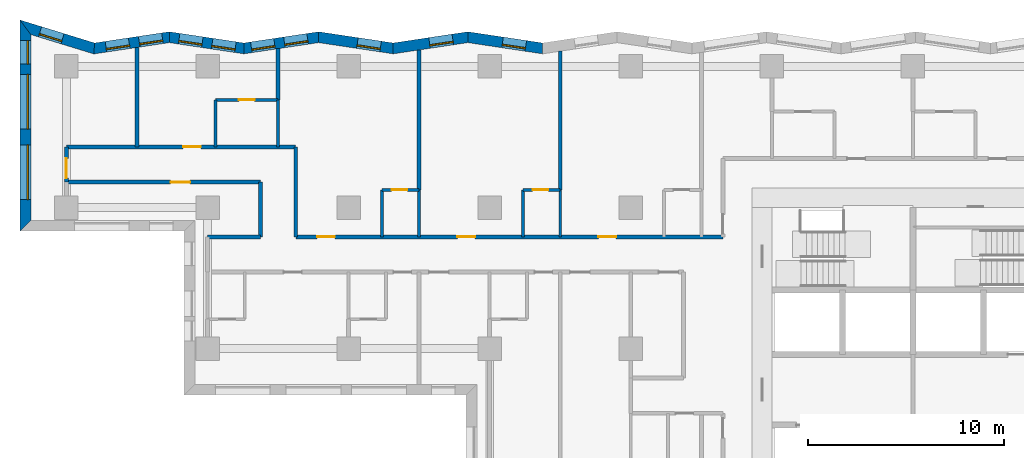
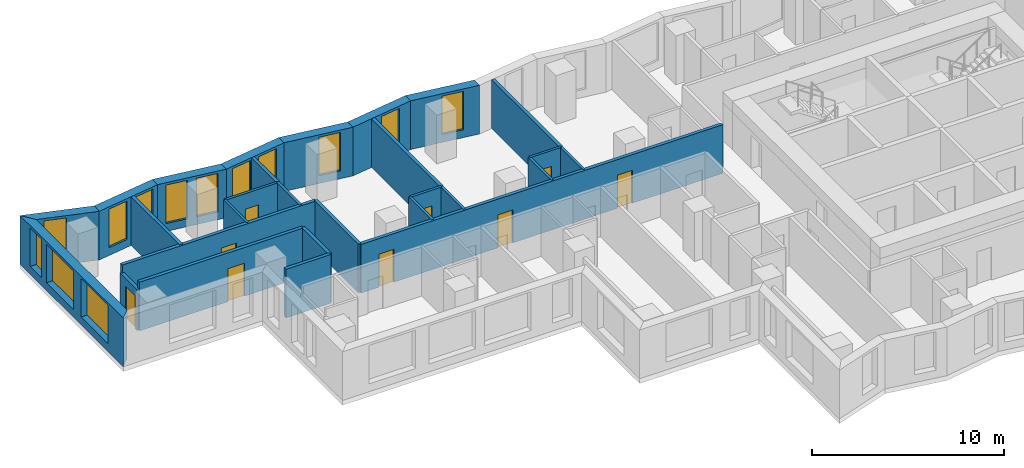
# One storey, part 4 of 12: 28 walls, 13 windows, 9 doors, 22 openings.
"""IFC4 building model written with IfcOpenShell, lengths in metres."""

from ifc_helpers import new_model, si_unit, direction, frame, frame_2d, origin, place, context, subcontext, project, spatial, polyline, rectangle, outline, extrude, material, layer, layer_set, type_object, element, fill, save


model = new_model("IFC4")

# Units and contexts
model_context = context("Model", 3, precision=1e-05, world=origin(), true_north=direction((0.0, 1.0)))
body_context = subcontext(model_context, "Body", "Model", "MODEL_VIEW")
ifc_project = project(units=[si_unit("LENGTHUNIT", "METRE"), si_unit("AREAUNIT", "SQUARE_METRE"), si_unit("VOLUMEUNIT", "CUBIC_METRE"), si_unit("PLANEANGLEUNIT", "RADIAN"), si_unit("MASSUNIT", "GRAM", prefix="KILO")], contexts=[model_context])

# Site, building, storey
site_placement = place(None, origin())
site = spatial("IfcSite", under=ifc_project, at=site_placement, CompositionType="ELEMENT")
building_placement = place(site_placement, origin())
building = spatial("IfcBuilding", under=site, at=building_placement, Name="Windrow Commons", CompositionType="ELEMENT")
storey_placement = place(building_placement, frame((0.0, 0.0, 57.6)))
storey = spatial("IfcBuildingStorey", under=building, at=storey_placement, Name="L15", CompositionType="ELEMENT", Elevation=57.6)

# Wall, opening, window
ifc_material_1 = material(Name="Brick masonry, red clay brick", Category="masonry")
ifc_layer_1 = layer(ifc_material_1, 0.55)
ifc_layer_set_1 = layer_set([ifc_layer_1], Name="Brick facade wall 550")
wall_type_1 = type_object("IfcWallType", Name="Brick facade wall 550", PredefinedType="SOLIDWALL", material=ifc_layer_set_1)
wall_1_placement = place(storey_placement, frame((45.8956, 72.9219, 0.0), z_axis=(0.0, 0.0, 1.0), x_axis=(-0.9889150173, 0.1484826202, 0.0)))
wall_1 = element("IfcWall", 1, at=wall_1_placement, inside=storey, type_object=wall_type_1, Name="Brick facade wall L15 32", PredefinedType="SOLIDWALL", context=body_context, shape_type="SweptSolid", body=[
    extrude(outline(polyline([(0.0413, -0.275), (3.8937, -0.275), (3.8111, 0.275), (-0.0413, 0.275), (0.0413, -0.275)])), origin(), (0.0, 0.0, 1.0), 3.1),
])
opening_1_placement = place(wall_1_placement, frame((0.8629, 0.0, 0.5)))
opening_1 = element("IfcOpeningElement", 2, at=opening_1_placement, cuts=wall_1, Name="Opening W7D", PredefinedType="OPENING", context=body_context, shape_type="SweptSolid", body=[
    extrude(rectangle(XDim=1.2, YDim=2.45, at=frame_2d((0.6, 1.225))), frame((0.0, 0.285, 0.0), z_axis=(0.0, -1.0, 0.0), x_axis=(1.0, 0.0, 0.0)), (0.0, 0.0, 1.0), 0.57),
])
ifc_material_2 = material(Name="Clear float glass in anodised aluminium frame", Category="aluminium")
window_type_1 = type_object("IfcWindowType", Name="Window W7 notch 1200x2450", PartitioningType="SINGLE_PANEL", PredefinedType="WINDOW", material=ifc_material_2)
window_1_placement = place(opening_1_placement, origin())
window_1 = element("IfcWindow", 3, at=window_1_placement, inside=storey, type_object=window_type_1, Name="Window L15 32.1", OverallHeight=2.45, OverallWidth=1.2, PartitioningType="SINGLE_PANEL", PredefinedType="WINDOW", context=body_context, shape_type="SweptSolid", body=[
    extrude(rectangle(XDim=1.2, YDim=2.45, at=frame_2d((0.6, 1.225))), frame((0.0, 0.155, 0.0), z_axis=(0.0, -1.0, 0.0), x_axis=(1.0, 0.0, 0.0)), (0.0, 0.0, 1.0), 0.06),
])
fill(opening_1, window_1)

wall_2_placement = place(storey_placement, frame((42.086, 73.4939, 0.0), z_axis=(0.0, 0.0, 1.0), x_axis=(-0.9889155896, -0.1484788086, 0.0)))
wall_2 = element("IfcWall", 4, at=wall_2_placement, inside=storey, type_object=wall_type_1, Name="Brick facade wall L15 33", PredefinedType="SOLIDWALL", context=body_context, shape_type="SweptSolid", body=[
    extrude(outline(polyline([(-0.0413, -0.275), (3.8111, -0.275), (3.8937, 0.275), (0.0413, 0.275), (-0.0413, -0.275)])), origin(), (0.0, 0.0, 1.0), 3.1),
])
opening_2_placement = place(wall_2_placement, frame((0.7776, 0.0, 0.5)))
opening_2 = element("IfcOpeningElement", 5, at=opening_2_placement, cuts=wall_2, Name="Opening W7D", PredefinedType="OPENING", context=body_context, shape_type="SweptSolid", body=[
    extrude(rectangle(XDim=1.2, YDim=2.45, at=frame_2d((0.6, 1.225))), frame((0.0, 0.285, 0.0), z_axis=(0.0, -1.0, 0.0), x_axis=(1.0, 0.0, 0.0)), (0.0, 0.0, 1.0), 0.57),
])
window_2_placement = place(opening_2_placement, origin())
window_2 = element("IfcWindow", 6, at=window_2_placement, inside=storey, type_object=window_type_1, Name="Window L15 33.1", OverallHeight=2.45, OverallWidth=1.2, PartitioningType="SINGLE_PANEL", PredefinedType="WINDOW", context=body_context, shape_type="SweptSolid", body=[
    extrude(rectangle(XDim=1.2, YDim=2.45, at=frame_2d((0.6, 1.225))), frame((0.0, 0.155, 0.0), z_axis=(0.0, -1.0, 0.0), x_axis=(1.0, 0.0, 0.0)), (0.0, 0.0, 1.0), 0.06),
])
fill(opening_2, window_2)

wall_3_placement = place(storey_placement, frame((38.2763, 72.9219, 0.0), z_axis=(0.0, 0.0, 1.0), x_axis=(-0.9889155896, 0.1484788086, 0.0)))
wall_3 = element("IfcWall", 7, at=wall_3_placement, inside=storey, type_object=wall_type_1, Name="Brick facade wall L15 34", PredefinedType="SOLIDWALL", context=body_context, shape_type="SweptSolid", body=[
    extrude(outline(polyline([(0.0413, -0.275), (3.8937, -0.275), (3.8111, 0.275), (-0.0413, 0.275), (0.0413, -0.275)])), origin(), (0.0, 0.0, 1.0), 3.1),
])
opening_3_placement = place(wall_3_placement, frame((0.6509, 0.0, 0.5)))
opening_3 = element("IfcOpeningElement", 8, at=opening_3_placement, cuts=wall_3, Name="Opening W7D", PredefinedType="OPENING", context=body_context, shape_type="SweptSolid", body=[
    extrude(rectangle(XDim=1.2, YDim=2.45, at=frame_2d((0.6, 1.225))), frame((0.0, 0.285, 0.0), z_axis=(0.0, -1.0, 0.0), x_axis=(1.0, 0.0, 0.0)), (0.0, 0.0, 1.0), 0.57),
])
window_3_placement = place(opening_3_placement, origin())
window_3 = element("IfcWindow", 9, at=window_3_placement, inside=storey, type_object=window_type_1, Name="Window L15 34.1", OverallHeight=2.45, OverallWidth=1.2, PartitioningType="SINGLE_PANEL", PredefinedType="WINDOW", context=body_context, shape_type="SweptSolid", body=[
    extrude(rectangle(XDim=1.2, YDim=2.45, at=frame_2d((0.6, 1.225))), frame((0.0, 0.155, 0.0), z_axis=(0.0, -1.0, 0.0), x_axis=(1.0, 0.0, 0.0)), (0.0, 0.0, 1.0), 0.06),
])
fill(opening_3, window_3)

# Wall, openings, windows
wall_4_placement = place(storey_placement, frame((34.4666, 73.4939, 0.0), z_axis=(0.0, 0.0, 1.0), x_axis=(-0.9889150173, -0.1484826202, 0.0)))
wall_4 = element("IfcWall", 10, at=wall_4_placement, inside=storey, type_object=wall_type_1, Name="Brick facade wall L15 35", PredefinedType="SOLIDWALL", context=body_context, shape_type="SweptSolid", body=[
    extrude(outline(polyline([(-0.0413, -0.275), (3.8111, -0.275), (3.8937, 0.275), (0.0413, 0.275), (-0.0413, -0.275)])), origin(), (0.0, 0.0, 1.0), 3.1),
])
opening_4_placement = place(wall_4_placement, frame((0.5655, 0.0, 0.5)))
opening_4 = element("IfcOpeningElement", 11, at=opening_4_placement, cuts=wall_4, Name="Opening W7D", PredefinedType="OPENING", context=body_context, shape_type="SweptSolid", body=[
    extrude(rectangle(XDim=1.2, YDim=2.45, at=frame_2d((0.6, 1.225))), frame((0.0, 0.285, 0.0), z_axis=(0.0, -1.0, 0.0), x_axis=(1.0, 0.0, 0.0)), (0.0, 0.0, 1.0), 0.57),
])
opening_5_placement = place(wall_4_placement, frame((2.2711, 0.0, 0.5)))
opening_5 = element("IfcOpeningElement", 12, at=opening_5_placement, cuts=wall_4, Name="Opening W7D", PredefinedType="OPENING", context=body_context, shape_type="SweptSolid", body=[
    extrude(rectangle(XDim=1.2, YDim=2.45, at=frame_2d((0.6, 1.225))), frame((0.0, 0.285, 0.0), z_axis=(0.0, -1.0, 0.0), x_axis=(1.0, 0.0, 0.0)), (0.0, 0.0, 1.0), 0.57),
])
window_4_placement = place(opening_4_placement, origin())
window_4 = element("IfcWindow", 13, at=window_4_placement, inside=storey, type_object=window_type_1, Name="Window L15 35.1", OverallHeight=2.45, OverallWidth=1.2, PartitioningType="SINGLE_PANEL", PredefinedType="WINDOW", context=body_context, shape_type="SweptSolid", body=[
    extrude(rectangle(XDim=1.2, YDim=2.45, at=frame_2d((0.6, 1.225))), frame((0.0, 0.155, 0.0), z_axis=(0.0, -1.0, 0.0), x_axis=(1.0, 0.0, 0.0)), (0.0, 0.0, 1.0), 0.06),
])
fill(opening_4, window_4)
window_5_placement = place(opening_5_placement, origin())
window_5 = element("IfcWindow", 14, at=window_5_placement, inside=storey, type_object=window_type_1, Name="Window L15 35.2", OverallHeight=2.45, OverallWidth=1.2, PartitioningType="SINGLE_PANEL", PredefinedType="WINDOW", context=body_context, shape_type="SweptSolid", body=[
    extrude(rectangle(XDim=1.2, YDim=2.45, at=frame_2d((0.6, 1.225))), frame((0.0, 0.155, 0.0), z_axis=(0.0, -1.0, 0.0), x_axis=(1.0, 0.0, 0.0)), (0.0, 0.0, 1.0), 0.06),
])
fill(opening_5, window_5)

wall_5_placement = place(storey_placement, frame((30.657, 72.9219, 0.0), z_axis=(0.0, 0.0, 1.0), x_axis=(-0.9889155896, 0.1484788086, 0.0)))
wall_5 = element("IfcWall", 15, at=wall_5_placement, inside=storey, type_object=wall_type_1, Name="Brick facade wall L15 36", PredefinedType="SOLIDWALL", context=body_context, shape_type="SweptSolid", body=[
    extrude(outline(polyline([(0.0413, -0.275), (3.8937, -0.275), (3.8111, 0.275), (-0.0413, 0.275), (0.0413, -0.275)])), origin(), (0.0, 0.0, 1.0), 3.1),
])
opening_6_placement = place(wall_5_placement, frame((0.4389, 0.0, 0.5)))
opening_6 = element("IfcOpeningElement", 16, at=opening_6_placement, cuts=wall_5, Name="Opening W7D", PredefinedType="OPENING", context=body_context, shape_type="SweptSolid", body=[
    extrude(rectangle(XDim=1.2, YDim=2.45, at=frame_2d((0.6, 1.225))), frame((0.0, 0.285, 0.0), z_axis=(0.0, -1.0, 0.0), x_axis=(1.0, 0.0, 0.0)), (0.0, 0.0, 1.0), 0.57),
])
opening_7_placement = place(wall_5_placement, frame((2.1444, 0.0, 0.5)))
opening_7 = element("IfcOpeningElement", 17, at=opening_7_placement, cuts=wall_5, Name="Opening W7D", PredefinedType="OPENING", context=body_context, shape_type="SweptSolid", body=[
    extrude(rectangle(XDim=1.2, YDim=2.45, at=frame_2d((0.6, 1.225))), frame((0.0, 0.285, 0.0), z_axis=(0.0, -1.0, 0.0), x_axis=(1.0, 0.0, 0.0)), (0.0, 0.0, 1.0), 0.57),
])
window_6_placement = place(opening_6_placement, origin())
window_6 = element("IfcWindow", 18, at=window_6_placement, inside=storey, type_object=window_type_1, Name="Window L15 36.1", OverallHeight=2.45, OverallWidth=1.2, PartitioningType="SINGLE_PANEL", PredefinedType="WINDOW", context=body_context, shape_type="SweptSolid", body=[
    extrude(rectangle(XDim=1.2, YDim=2.45, at=frame_2d((0.6, 1.225))), frame((0.0, 0.155, 0.0), z_axis=(0.0, -1.0, 0.0), x_axis=(1.0, 0.0, 0.0)), (0.0, 0.0, 1.0), 0.06),
])
fill(opening_6, window_6)
window_7_placement = place(opening_7_placement, origin())
window_7 = element("IfcWindow", 19, at=window_7_placement, inside=storey, type_object=window_type_1, Name="Window L15 36.2", OverallHeight=2.45, OverallWidth=1.2, PartitioningType="SINGLE_PANEL", PredefinedType="WINDOW", context=body_context, shape_type="SweptSolid", body=[
    extrude(rectangle(XDim=1.2, YDim=2.45, at=frame_2d((0.6, 1.225))), frame((0.0, 0.155, 0.0), z_axis=(0.0, -1.0, 0.0), x_axis=(1.0, 0.0, 0.0)), (0.0, 0.0, 1.0), 0.06),
])
fill(opening_7, window_7)

wall_6_placement = place(storey_placement, frame((26.8473, 73.4939, 0.0), z_axis=(0.0, 0.0, 1.0), x_axis=(-0.9889175987, -0.1484654269, 0.0)))
wall_6 = element("IfcWall", 20, at=wall_6_placement, inside=storey, type_object=wall_type_1, Name="Brick facade wall L15 37", PredefinedType="SOLIDWALL", context=body_context, shape_type="SweptSolid", body=[
    extrude(outline(polyline([(-0.0413, -0.275), (3.8111, -0.275), (3.9362, 0.275), (0.0413, 0.275), (-0.0413, -0.275)])), origin(), (0.0, 0.0, 1.0), 3.1),
])
opening_8_placement = place(wall_6_placement, frame((0.3535, 0.0, 0.5)))
opening_8 = element("IfcOpeningElement", 21, at=opening_8_placement, cuts=wall_6, Name="Opening W7D", PredefinedType="OPENING", context=body_context, shape_type="SweptSolid", body=[
    extrude(rectangle(XDim=1.2, YDim=2.45, at=frame_2d((0.6, 1.225))), frame((0.0, 0.285, 0.0), z_axis=(0.0, -1.0, 0.0), x_axis=(1.0, 0.0, 0.0)), (0.0, 0.0, 1.0), 0.57),
])
opening_9_placement = place(wall_6_placement, frame((2.0697, 0.0, 0.5)))
opening_9 = element("IfcOpeningElement", 22, at=opening_9_placement, cuts=wall_6, Name="Opening W7D", PredefinedType="OPENING", context=body_context, shape_type="SweptSolid", body=[
    extrude(rectangle(XDim=1.2, YDim=2.45, at=frame_2d((0.6, 1.225))), frame((0.0, 0.285, 0.0), z_axis=(0.0, -1.0, 0.0), x_axis=(1.0, 0.0, 0.0)), (0.0, 0.0, 1.0), 0.57),
])
window_8_placement = place(opening_8_placement, origin())
window_8 = element("IfcWindow", 23, at=window_8_placement, inside=storey, type_object=window_type_1, Name="Window L15 37.1", OverallHeight=2.45, OverallWidth=1.2, PartitioningType="SINGLE_PANEL", PredefinedType="WINDOW", context=body_context, shape_type="SweptSolid", body=[
    extrude(rectangle(XDim=1.2, YDim=2.45, at=frame_2d((0.6, 1.225))), frame((0.0, 0.155, 0.0), z_axis=(0.0, -1.0, 0.0), x_axis=(1.0, 0.0, 0.0)), (0.0, 0.0, 1.0), 0.06),
])
fill(opening_8, window_8)
window_9_placement = place(opening_9_placement, origin())
window_9 = element("IfcWindow", 24, at=window_9_placement, inside=storey, type_object=window_type_1, Name="Window L15 37.2", OverallHeight=2.45, OverallWidth=1.2, PartitioningType="SINGLE_PANEL", PredefinedType="WINDOW", context=body_context, shape_type="SweptSolid", body=[
    extrude(rectangle(XDim=1.2, YDim=2.45, at=frame_2d((0.6, 1.225))), frame((0.0, 0.155, 0.0), z_axis=(0.0, -1.0, 0.0), x_axis=(1.0, 0.0, 0.0)), (0.0, 0.0, 1.0), 0.06),
])
fill(opening_9, window_9)

# Wall, opening, window
wall_7_placement = place(storey_placement, frame((23.0166, 72.9188, 0.0), z_axis=(0.0, 0.0, 1.0), x_axis=(-0.9557948878, 0.2940342368, 0.0)))
wall_7 = element("IfcWall", 25, at=wall_7_placement, inside=storey, type_object=wall_type_1, Name="Brick facade wall L15 38", PredefinedType="SOLIDWALL", context=body_context, shape_type="SweptSolid", body=[
    extrude(outline(polyline([(0.0626, -0.275), (4.0484, -0.275), (3.3038, 0.275), (-0.0626, 0.275), (0.0626, -0.275)])), origin(), (0.0, 0.0, 1.0), 3.1),
])
opening_10_placement = place(wall_7_placement, frame((1.693, 0.0, 0.5)))
opening_10 = element("IfcOpeningElement", 26, at=opening_10_placement, cuts=wall_7, Name="Opening W7D", PredefinedType="OPENING", context=body_context, shape_type="SweptSolid", body=[
    extrude(rectangle(XDim=1.2, YDim=2.45, at=frame_2d((0.6, 1.225))), frame((0.0, 0.285, 0.0), z_axis=(0.0, -1.0, 0.0), x_axis=(1.0, 0.0, 0.0)), (0.0, 0.0, 1.0), 0.57),
])
window_10_placement = place(opening_10_placement, origin())
window_10 = element("IfcWindow", 27, at=window_10_placement, inside=storey, type_object=window_type_1, Name="Window L15 38.1", OverallHeight=2.45, OverallWidth=1.2, PartitioningType="SINGLE_PANEL", PredefinedType="WINDOW", context=body_context, shape_type="SweptSolid", body=[
    extrude(rectangle(XDim=1.2, YDim=2.45, at=frame_2d((0.6, 1.225))), frame((0.0, 0.155, 0.0), z_axis=(0.0, -1.0, 0.0), x_axis=(1.0, 0.0, 0.0)), (0.0, 0.0, 1.0), 0.06),
])
fill(opening_10, window_10)

# Wall, openings, windows
wall_8_placement = place(storey_placement, frame((19.503, 73.9997, 0.0), z_axis=(0.0, 0.0, 1.0), x_axis=(0.0, -1.0, 0.0)))
wall_8 = element("IfcWall", 28, at=wall_8_placement, inside=storey, type_object=wall_type_1, Name="Brick facade wall L15 39", PredefinedType="SOLIDWALL", context=body_context, shape_type="SweptSolid", body=[
    extrude(outline(polyline([(-0.3723, -0.275), (10.3997, -0.275), (9.8497, 0.275), (0.3723, 0.275), (-0.3723, -0.275)])), origin(), (0.0, 0.0, 1.0), 3.1),
])
opening_11_placement = place(wall_8_placement, frame((2.3997, 0.0, 0.5)))
opening_11 = element("IfcOpeningElement", 29, at=opening_11_placement, cuts=wall_8, Name="Opening W1T", PredefinedType="OPENING", context=body_context, shape_type="SweptSolid", body=[
    extrude(rectangle(XDim=2.8, YDim=2.45, at=frame_2d((1.4, 1.225))), frame((0.0, 0.285, 0.0), z_axis=(0.0, -1.0, 0.0), x_axis=(1.0, 0.0, 0.0)), (0.0, 0.0, 1.0), 0.57),
])
opening_12_placement = place(wall_8_placement, frame((5.9997, 0.0, 0.5)))
opening_12 = element("IfcOpeningElement", 30, at=opening_12_placement, cuts=wall_8, Name="Opening W1T", PredefinedType="OPENING", context=body_context, shape_type="SweptSolid", body=[
    extrude(rectangle(XDim=2.8, YDim=2.45, at=frame_2d((1.4, 1.225))), frame((0.0, 0.285, 0.0), z_axis=(0.0, -1.0, 0.0), x_axis=(1.0, 0.0, 0.0)), (0.0, 0.0, 1.0), 0.57),
])
opening_13_placement = place(wall_8_placement, frame((0.686, 0.0, 0.5)))
opening_13 = element("IfcOpeningElement", 31, at=opening_13_placement, cuts=wall_8, Name="Opening W7D", PredefinedType="OPENING", context=body_context, shape_type="SweptSolid", body=[
    extrude(rectangle(XDim=1.2, YDim=2.45, at=frame_2d((0.6, 1.225))), frame((0.0, 0.285, 0.0), z_axis=(0.0, -1.0, 0.0), x_axis=(1.0, 0.0, 0.0)), (0.0, 0.0, 1.0), 0.57),
])
ifc_material_3 = material(Name="Clear float glass in anodised aluminium frame", Category="aluminium")
window_type_2 = type_object("IfcWindowType", Name="Window W1T bedroom 2800x2450", PartitioningType="SINGLE_PANEL", PredefinedType="WINDOW", material=ifc_material_3)
window_11_placement = place(opening_11_placement, origin())
window_11 = element("IfcWindow", 32, at=window_11_placement, inside=storey, type_object=window_type_2, Name="Window L15 39.1", OverallHeight=2.45, OverallWidth=2.8, PartitioningType="SINGLE_PANEL", PredefinedType="WINDOW", context=body_context, shape_type="SweptSolid", body=[
    extrude(rectangle(XDim=2.8, YDim=2.45, at=frame_2d((1.4, 1.225))), frame((0.0, 0.155, 0.0), z_axis=(0.0, -1.0, 0.0), x_axis=(1.0, 0.0, 0.0)), (0.0, 0.0, 1.0), 0.06),
])
fill(opening_11, window_11)
window_12_placement = place(opening_12_placement, origin())
window_12 = element("IfcWindow", 33, at=window_12_placement, inside=storey, type_object=window_type_2, Name="Window L15 39.2", OverallHeight=2.45, OverallWidth=2.8, PartitioningType="SINGLE_PANEL", PredefinedType="WINDOW", context=body_context, shape_type="SweptSolid", body=[
    extrude(rectangle(XDim=2.8, YDim=2.45, at=frame_2d((1.4, 1.225))), frame((0.0, 0.155, 0.0), z_axis=(0.0, -1.0, 0.0), x_axis=(1.0, 0.0, 0.0)), (0.0, 0.0, 1.0), 0.06),
])
fill(opening_12, window_12)
window_13_placement = place(opening_13_placement, origin())
window_13 = element("IfcWindow", 34, at=window_13_placement, inside=storey, type_object=window_type_1, Name="Window L15 39.3", OverallHeight=2.45, OverallWidth=1.2, PartitioningType="SINGLE_PANEL", PredefinedType="WINDOW", context=body_context, shape_type="SweptSolid", body=[
    extrude(rectangle(XDim=1.2, YDim=2.45, at=frame_2d((0.6, 1.225))), frame((0.0, 0.155, 0.0), z_axis=(0.0, -1.0, 0.0), x_axis=(1.0, 0.0, 0.0)), (0.0, 0.0, 1.0), 0.06),
])
fill(opening_13, window_13)

# Wall, openings, doors
ifc_material_4 = material(Name="Blockwork partition", Category="masonry")
ifc_layer_2 = layer(ifc_material_4, 0.2)
ifc_layer_set_2 = layer_set([ifc_layer_2], Name="IW-CORRIDOR-200")
wall_type_2 = type_object("IfcWallType", Name="IW-CORRIDOR-200", PredefinedType="PARTITIONING", material=ifc_layer_set_2)
wall_9_placement = place(storey_placement, frame((33.302, 63.3, 0.0), z_axis=(0.0, 0.0, 1.0), x_axis=(1.0, 0.0, 0.0)))
wall_9 = element("IfcWall", 35, at=wall_9_placement, inside=storey, type_object=wall_type_2, Name="W-L15-W001", PredefinedType="PARTITIONING", context=body_context, shape_type="SweptSolid", body=[
    extrude(rectangle(XDim=21.798, YDim=0.2, at=frame_2d((10.899, 0.0))), origin(), (0.0, 0.0, 1.0), 3.1),
])
opening_14_placement = place(wall_9_placement, frame((1.0908, 0.0, 0.0)))
opening_14 = element("IfcOpeningElement", 36, at=opening_14_placement, cuts=wall_9, Name="Opening D109F", PredefinedType="OPENING", context=body_context, shape_type="SweptSolid", body=[
    extrude(rectangle(XDim=0.9, YDim=2.1, at=frame_2d((0.45, 1.05))), frame((0.0, 0.11, 0.0), z_axis=(0.0, -1.0, 0.0), x_axis=(1.0, 0.0, 0.0)), (0.0, 0.0, 1.0), 0.22),
])
opening_15_placement = place(wall_9_placement, frame((8.2483, 0.0, 0.0)))
opening_15 = element("IfcOpeningElement", 37, at=opening_15_placement, cuts=wall_9, Name="Opening D109F", PredefinedType="OPENING", context=body_context, shape_type="SweptSolid", body=[
    extrude(rectangle(XDim=0.9, YDim=2.1, at=frame_2d((0.45, 1.05))), frame((0.0, 0.11, 0.0), z_axis=(0.0, -1.0, 0.0), x_axis=(1.0, 0.0, 0.0)), (0.0, 0.0, 1.0), 0.22),
])
opening_16_placement = place(wall_9_placement, frame((15.4483, 0.0, 0.0)))
opening_16 = element("IfcOpeningElement", 38, at=opening_16_placement, cuts=wall_9, Name="Opening D109F", PredefinedType="OPENING", context=body_context, shape_type="SweptSolid", body=[
    extrude(rectangle(XDim=0.9, YDim=2.1, at=frame_2d((0.45, 1.05))), frame((0.0, 0.11, 0.0), z_axis=(0.0, -1.0, 0.0), x_axis=(1.0, 0.0, 0.0)), (0.0, 0.0, 1.0), 0.22),
])
ifc_material_5 = material(Name="Timber door leaf", Category="wood")
door_type_1 = type_object("IfcDoorType", Name="DT-BEDROOM-900", OperationType="SINGLE_SWING_LEFT", PredefinedType="DOOR", material=ifc_material_5)
door_1_placement = place(opening_14_placement, origin())
door_1 = element("IfcDoor", 39, at=door_1_placement, inside=storey, type_object=door_type_1, Name="D-L15-D009", OperationType="SINGLE_SWING_LEFT", OverallHeight=2.1, OverallWidth=0.9, PredefinedType="DOOR", context=body_context, shape_type="SweptSolid", body=[
    extrude(rectangle(XDim=0.9, YDim=2.1, at=frame_2d((0.45, 1.05))), frame((0.0, 0.025, 0.0), z_axis=(0.0, -1.0, 0.0), x_axis=(1.0, 0.0, 0.0)), (0.0, 0.0, 1.0), 0.05),
])
fill(opening_14, door_1)
door_2_placement = place(opening_15_placement, origin())
door_2 = element("IfcDoor", 40, at=door_2_placement, inside=storey, type_object=door_type_1, Name="D-L15-D011", OperationType="SINGLE_SWING_LEFT", OverallHeight=2.1, OverallWidth=0.9, PredefinedType="DOOR", context=body_context, shape_type="SweptSolid", body=[
    extrude(rectangle(XDim=0.9, YDim=2.1, at=frame_2d((0.45, 1.05))), frame((0.0, 0.025, 0.0), z_axis=(0.0, -1.0, 0.0), x_axis=(1.0, 0.0, 0.0)), (0.0, 0.0, 1.0), 0.05),
])
fill(opening_15, door_2)
door_3_placement = place(opening_16_placement, origin())
door_3 = element("IfcDoor", 41, at=door_3_placement, inside=storey, type_object=door_type_1, Name="D-L15-D013", OperationType="SINGLE_SWING_LEFT", OverallHeight=2.1, OverallWidth=0.9, PredefinedType="DOOR", context=body_context, shape_type="SweptSolid", body=[
    extrude(rectangle(XDim=0.9, YDim=2.1, at=frame_2d((0.45, 1.05))), frame((0.0, 0.025, 0.0), z_axis=(0.0, -1.0, 0.0), x_axis=(1.0, 0.0, 0.0)), (0.0, 0.0, 1.0), 0.05),
])
fill(opening_16, door_3)

# Wall, opening, door
wall_10_placement = place(storey_placement, frame((21.602, 67.9, 0.0), z_axis=(0.0, 0.0, 1.0), x_axis=(1.0, 0.0, 0.0)))
wall_10 = element("IfcWall", 42, at=wall_10_placement, inside=storey, type_object=wall_type_2, Name="W-L15-W009", PredefinedType="PARTITIONING", context=body_context, shape_type="SweptSolid", body=[
    extrude(rectangle(XDim=11.698, YDim=0.2, at=frame_2d((5.849, 0.0))), origin(), (0.0, 0.0, 1.0), 3.1),
])
opening_17_placement = place(wall_10_placement, frame((5.955, 0.0, 0.0)))
opening_17 = element("IfcOpeningElement", 43, at=opening_17_placement, cuts=wall_10, Name="Opening D109F", PredefinedType="OPENING", context=body_context, shape_type="SweptSolid", body=[
    extrude(rectangle(XDim=0.9, YDim=2.1, at=frame_2d((0.45, 1.05))), frame((0.0, 0.11, 0.0), z_axis=(0.0, -1.0, 0.0), x_axis=(1.0, 0.0, 0.0)), (0.0, 0.0, 1.0), 0.22),
])
door_4_placement = place(opening_17_placement, origin())
door_4 = element("IfcDoor", 44, at=door_4_placement, inside=storey, type_object=door_type_1, Name="D-L15-D003", OperationType="SINGLE_SWING_LEFT", OverallHeight=2.1, OverallWidth=0.9, PredefinedType="DOOR", context=body_context, shape_type="SweptSolid", body=[
    extrude(rectangle(XDim=0.9, YDim=2.1, at=frame_2d((0.45, 1.05))), frame((0.0, 0.025, 0.0), z_axis=(0.0, -1.0, 0.0), x_axis=(1.0, 0.0, 0.0)), (0.0, 0.0, 1.0), 0.05),
])
fill(opening_17, door_4)

wall_11_placement = place(storey_placement, frame((21.6, 66.1, 0.0), z_axis=(0.0, 0.0, 1.0), x_axis=(1.0, 0.0, 0.0)))
wall_11 = element("IfcWall", 45, at=wall_11_placement, inside=storey, type_object=wall_type_2, Name="W-L15-W011", PredefinedType="PARTITIONING", context=body_context, shape_type="SweptSolid", body=[
    extrude(rectangle(XDim=9.9, YDim=0.2, at=frame_2d((4.95, 0.0))), origin(), (0.0, 0.0, 1.0), 3.1),
])
opening_18_placement = place(wall_11_placement, frame((5.3136, 0.0, 0.0)))
opening_18 = element("IfcOpeningElement", 46, at=opening_18_placement, cuts=wall_11, Name="Opening D310F", PredefinedType="OPENING", context=body_context, shape_type="SweptSolid", body=[
    extrude(rectangle(XDim=1.0, YDim=2.1, at=frame_2d((0.5, 1.05))), frame((0.0, 0.11, 0.0), z_axis=(0.0, -1.0, 0.0), x_axis=(1.0, 0.0, 0.0)), (0.0, 0.0, 1.0), 0.22),
])
ifc_material_6 = material(Name="Timber door leaf", Category="wood")
door_type_2 = type_object("IfcDoorType", Name="DT-AMENITY-1000", OperationType="SINGLE_SWING_LEFT", PredefinedType="DOOR", material=ifc_material_6)
door_5_placement = place(opening_18_placement, origin())
door_5 = element("IfcDoor", 47, at=door_5_placement, inside=storey, type_object=door_type_2, Name="D-L15-D002", OperationType="SINGLE_SWING_LEFT", OverallHeight=2.1, OverallWidth=1.0, PredefinedType="DOOR", context=body_context, shape_type="SweptSolid", body=[
    extrude(rectangle(XDim=1.0, YDim=2.1, at=frame_2d((0.5, 1.05))), frame((0.0, 0.025, 0.0), z_axis=(0.0, -1.0, 0.0), x_axis=(1.0, 0.0, 0.0)), (0.0, 0.0, 1.0), 0.05),
])
fill(opening_18, door_5)

# Walls
wall_12_placement = place(storey_placement, frame((33.3, 63.302, 0.0), z_axis=(0.0, 0.0, 1.0), x_axis=(0.0, 1.0, 0.0)))
element("IfcWall", 48, at=wall_12_placement, inside=storey, type_object=wall_type_2, Name="W-L15-W043", PredefinedType="PARTITIONING", context=body_context, shape_type="SweptSolid", body=[
    extrude(rectangle(XDim=4.598, YDim=0.2, at=frame_2d((2.299, 0.0))), origin(), (0.0, 0.0, 1.0), 3.1),
])
wall_13_placement = place(storey_placement, frame((31.5, 63.302, 0.0), z_axis=(0.0, 0.0, 1.0), x_axis=(0.0, 1.0, 0.0)))
element("IfcWall", 49, at=wall_13_placement, inside=storey, type_object=wall_type_2, Name="W-L15-W065", PredefinedType="PARTITIONING", context=body_context, shape_type="SweptSolid", body=[
    extrude(rectangle(XDim=2.798, YDim=0.2, at=frame_2d((1.399, 0.0))), origin(), (0.0, 0.0, 1.0), 3.1),
])
wall_14_placement = place(storey_placement, frame((28.802, 63.3, 0.0), z_axis=(0.0, 0.0, 1.0), x_axis=(1.0, 0.0, 0.0)))
element("IfcWall", 50, at=wall_14_placement, inside=storey, type_object=wall_type_2, Name="W-L15-W067", PredefinedType="PARTITIONING", context=body_context, shape_type="SweptSolid", body=[
    extrude(rectangle(XDim=2.698, YDim=0.2, at=frame_2d((1.349, 0.0))), origin(), (0.0, 0.0, 1.0), 3.1),
])

# Wall, opening, door
wall_15_placement = place(storey_placement, frame((21.6, 66.1, 0.0), z_axis=(0.0, 0.0, 1.0), x_axis=(0.0, 1.0, 0.0)))
wall_15 = element("IfcWall", 51, at=wall_15_placement, inside=storey, type_object=wall_type_2, Name="W-L15-W131", PredefinedType="PARTITIONING", context=body_context, shape_type="SweptSolid", body=[
    extrude(rectangle(XDim=1.8, YDim=0.2, at=frame_2d((0.9, 0.0))), origin(), (0.0, 0.0, 1.0), 2.6),
])
opening_19_placement = place(wall_15_placement, frame((0.2066, 0.0, 0.0)))
opening_19 = element("IfcOpeningElement", 52, at=opening_19_placement, cuts=wall_15, Name="Opening D310F", PredefinedType="OPENING", context=body_context, shape_type="SweptSolid", body=[
    extrude(rectangle(XDim=1.0, YDim=2.1, at=frame_2d((0.5, 1.05))), frame((0.0, 0.11, 0.0), z_axis=(0.0, -1.0, 0.0), x_axis=(1.0, 0.0, 0.0)), (0.0, 0.0, 1.0), 0.22),
])
door_6_placement = place(opening_19_placement, origin())
door_6 = element("IfcDoor", 53, at=door_6_placement, inside=storey, type_object=door_type_2, Name="D-L15-D001", OperationType="SINGLE_SWING_RIGHT", OverallHeight=2.1, OverallWidth=1.0, PredefinedType="DOOR", context=body_context, shape_type="SweptSolid", body=[
    extrude(rectangle(XDim=1.0, YDim=2.1, at=frame_2d((0.5, 1.05))), frame((0.0, 0.025, 0.0), z_axis=(0.0, -1.0, 0.0), x_axis=(1.0, 0.0, 0.0)), (0.0, 0.0, 1.0), 0.05),
])
fill(opening_19, door_6)

ifc_material_7 = material(Name="Blockwork partition", Category="masonry")
ifc_layer_3 = layer(ifc_material_7, 0.15)
ifc_layer_set_3 = layer_set([ifc_layer_3], Name="IW-ENSUITE-150")
wall_type_3 = type_object("IfcWallType", Name="IW-ENSUITE-150", PredefinedType="PARTITIONING", material=ifc_layer_set_3)
wall_16_placement = place(storey_placement, frame((29.2, 70.3, 0.0), z_axis=(0.0, 0.0, 1.0), x_axis=(1.0, 0.0, 0.0)))
wall_16 = element("IfcWall", 54, at=wall_16_placement, inside=storey, type_object=wall_type_3, Name="W-L15-W061", PredefinedType="PARTITIONING", context=body_context, shape_type="SweptSolid", body=[
    extrude(rectangle(XDim=3.2, YDim=0.15, at=frame_2d((1.6, 0.0))), origin(), (0.0, 0.0, 1.0), 3.1),
])
opening_20_placement = place(wall_16_placement, frame((1.2042, 0.0, 0.0)))
opening_20 = element("IfcOpeningElement", 55, at=opening_20_placement, cuts=wall_16, Name="Opening D208N", PredefinedType="OPENING", context=body_context, shape_type="SweptSolid", body=[
    extrude(rectangle(XDim=0.8, YDim=2.1, at=frame_2d((0.4, 1.05))), frame((0.0, 0.085, 0.0), z_axis=(0.0, -1.0, 0.0), x_axis=(1.0, 0.0, 0.0)), (0.0, 0.0, 1.0), 0.17),
])
ifc_material_8 = material(Name="Timber door leaf", Category="wood")
door_type_3 = type_object("IfcDoorType", Name="DT-ENSUITE-800", OperationType="SINGLE_SWING_LEFT", PredefinedType="DOOR", material=ifc_material_8)
door_7_placement = place(opening_20_placement, origin())
door_7 = element("IfcDoor", 56, at=door_7_placement, inside=storey, type_object=door_type_3, Name="D-L15-D004", OperationType="SINGLE_SWING_RIGHT", OverallHeight=2.1, OverallWidth=0.8, PredefinedType="DOOR", context=body_context, shape_type="SweptSolid", body=[
    extrude(rectangle(XDim=0.8, YDim=2.1, at=frame_2d((0.4, 1.05))), frame((0.0, 0.025, 0.0), z_axis=(0.0, -1.0, 0.0), x_axis=(1.0, 0.0, 0.0)), (0.0, 0.0, 1.0), 0.05),
])
fill(opening_20, door_7)

# Walls
for number, where, z_axis, x_axis, name in (
    (57, (37.7, 63.3, 0.0), (0.0, 0.0, 1.0), (0.0, 1.0, 0.0), "W-L15-W074"),
    (58, (39.6, 63.3, 0.0), (0.0, 0.0, 1.0), (0.0, 1.0, 0.0), "W-L15-W075"),
    (59, (44.9, 63.3, 0.0), (0.0, 0.0, 1.0), (0.0, 1.0, 0.0), "W-L15-W076"),
    (60, (46.8, 63.3, 0.0), (0.0, 0.0, 1.0), (0.0, 1.0, 0.0), "W-L15-W077"),
    (61, (29.2, 67.9, 0.0), (0.0, 0.0, 1.0), (0.0, 1.0, 0.0), "W-L15-W096"),
    (62, (32.4, 67.9, 0.0), (0.0, 0.0, 1.0), (0.0, 1.0, 0.0), "W-L15-W097"),
):
    element("IfcWall", number, at=place(storey_placement, frame(where, z_axis=z_axis, x_axis=x_axis)), inside=storey, type_object=wall_type_3, Name=name, PredefinedType="PARTITIONING", context=body_context, shape_type="SweptSolid", body=[
        extrude(rectangle(XDim=2.4, YDim=0.15, at=frame_2d((1.2, 0.0))), origin(), (0.0, 0.0, 1.0), 3.1),
    ])

# Wall, opening, door
wall_17_placement = place(storey_placement, frame((37.7, 65.7, 0.0), z_axis=(0.0, 0.0, 1.0), x_axis=(1.0, 0.0, 0.0)))
wall_17 = element("IfcWall", 63, at=wall_17_placement, inside=storey, type_object=wall_type_3, Name="W-L15-W120", PredefinedType="PARTITIONING", context=body_context, shape_type="SweptSolid", body=[
    extrude(rectangle(XDim=1.9, YDim=0.15, at=frame_2d((0.95, 0.0))), origin(), (0.0, 0.0, 1.0), 3.1),
])
opening_21_placement = place(wall_17_placement, frame((0.4931, 0.0, 0.0)))
opening_21 = element("IfcOpeningElement", 64, at=opening_21_placement, cuts=wall_17, Name="Opening D208N", PredefinedType="OPENING", context=body_context, shape_type="SweptSolid", body=[
    extrude(rectangle(XDim=0.8, YDim=2.1, at=frame_2d((0.4, 1.05))), frame((0.0, 0.085, 0.0), z_axis=(0.0, -1.0, 0.0), x_axis=(1.0, 0.0, 0.0)), (0.0, 0.0, 1.0), 0.17),
])
door_8_placement = place(opening_21_placement, origin())
door_8 = element("IfcDoor", 65, at=door_8_placement, inside=storey, type_object=door_type_3, Name="D-L15-D010", OperationType="SINGLE_SWING_RIGHT", OverallHeight=2.1, OverallWidth=0.8, PredefinedType="DOOR", context=body_context, shape_type="SweptSolid", body=[
    extrude(rectangle(XDim=0.8, YDim=2.1, at=frame_2d((0.4, 1.05))), frame((0.0, 0.025, 0.0), z_axis=(0.0, -1.0, 0.0), x_axis=(1.0, 0.0, 0.0)), (0.0, 0.0, 1.0), 0.05),
])
fill(opening_21, door_8)

wall_18_placement = place(storey_placement, frame((44.9, 65.7, 0.0), z_axis=(0.0, 0.0, 1.0), x_axis=(1.0, 0.0, 0.0)))
wall_18 = element("IfcWall", 66, at=wall_18_placement, inside=storey, type_object=wall_type_3, Name="W-L15-W121", PredefinedType="PARTITIONING", context=body_context, shape_type="SweptSolid", body=[
    extrude(rectangle(XDim=1.9, YDim=0.15, at=frame_2d((0.95, 0.0))), origin(), (0.0, 0.0, 1.0), 3.1),
])
opening_22_placement = place(wall_18_placement, frame((0.4931, 0.0, 0.0)))
opening_22 = element("IfcOpeningElement", 67, at=opening_22_placement, cuts=wall_18, Name="Opening D208N", PredefinedType="OPENING", context=body_context, shape_type="SweptSolid", body=[
    extrude(rectangle(XDim=0.8, YDim=2.1, at=frame_2d((0.4, 1.05))), frame((0.0, 0.085, 0.0), z_axis=(0.0, -1.0, 0.0), x_axis=(1.0, 0.0, 0.0)), (0.0, 0.0, 1.0), 0.17),
])
door_9_placement = place(opening_22_placement, origin())
door_9 = element("IfcDoor", 68, at=door_9_placement, inside=storey, type_object=door_type_3, Name="D-L15-D012", OperationType="SINGLE_SWING_RIGHT", OverallHeight=2.1, OverallWidth=0.8, PredefinedType="DOOR", context=body_context, shape_type="SweptSolid", body=[
    extrude(rectangle(XDim=0.8, YDim=2.1, at=frame_2d((0.4, 1.05))), frame((0.0, 0.025, 0.0), z_axis=(0.0, -1.0, 0.0), x_axis=(1.0, 0.0, 0.0)), (0.0, 0.0, 1.0), 0.05),
])
fill(opening_22, door_9)

# Walls
ifc_material_9 = material(Name="Blockwork partition", Category="masonry")
ifc_layer_4 = layer(ifc_material_9, 0.2)
ifc_layer_set_4 = layer_set([ifc_layer_4], Name="IW-PARTY-200")
wall_type_4 = type_object("IfcWallType", Name="IW-PARTY-200", PredefinedType="PARTITIONING", material=ifc_layer_set_4)
wall_19_placement = place(storey_placement, frame((39.6, 65.7, 0.0), z_axis=(0.0, 0.0, 1.0), x_axis=(0.0, 1.0, 0.0)))
element("IfcWall", 69, at=wall_19_placement, inside=storey, type_object=wall_type_4, Name="W-L15-W022", PredefinedType="PARTITIONING", context=body_context, shape_type="SweptSolid", body=[
    extrude(rectangle(XDim=7.1426, YDim=0.2, at=frame_2d((3.5713, 0.0))), origin(), (0.0, 0.0, 1.0), 3.1),
])
wall_20_placement = place(storey_placement, frame((46.8, 65.7, 0.0), z_axis=(0.0, 0.0, 1.0), x_axis=(0.0, 1.0, 0.0)))
element("IfcWall", 70, at=wall_20_placement, inside=storey, type_object=wall_type_4, Name="W-L15-W023", PredefinedType="PARTITIONING", context=body_context, shape_type="SweptSolid", body=[
    extrude(rectangle(XDim=7.0796, YDim=0.2, at=frame_2d((3.5398, 0.0))), origin(), (0.0, 0.0, 1.0), 3.1),
])
wall_21_placement = place(storey_placement, frame((25.2, 67.9, 0.0), z_axis=(0.0, 0.0, 1.0), x_axis=(0.0, 1.0, 0.0)))
element("IfcWall", 71, at=wall_21_placement, inside=storey, type_object=wall_type_4, Name="W-L15-W037", PredefinedType="PARTITIONING", context=body_context, shape_type="SweptSolid", body=[
    extrude(rectangle(XDim=5.0685, YDim=0.2, at=frame_2d((2.5343, 0.0))), origin(), (0.0, 0.0, 1.0), 3.1),
])
wall_22_placement = place(storey_placement, frame((32.4, 70.3, 0.0), z_axis=(0.0, 0.0, 1.0), x_axis=(0.0, 1.0, 0.0)))
element("IfcWall", 72, at=wall_22_placement, inside=storey, type_object=wall_type_4, Name="W-L15-W068", PredefinedType="PARTITIONING", context=body_context, shape_type="SweptSolid", body=[
    extrude(rectangle(XDim=2.6055, YDim=0.2, at=frame_2d((1.3028, 0.0))), origin(), (0.0, 0.0, 1.0), 3.1),
])

save(model, "model.ifc")
